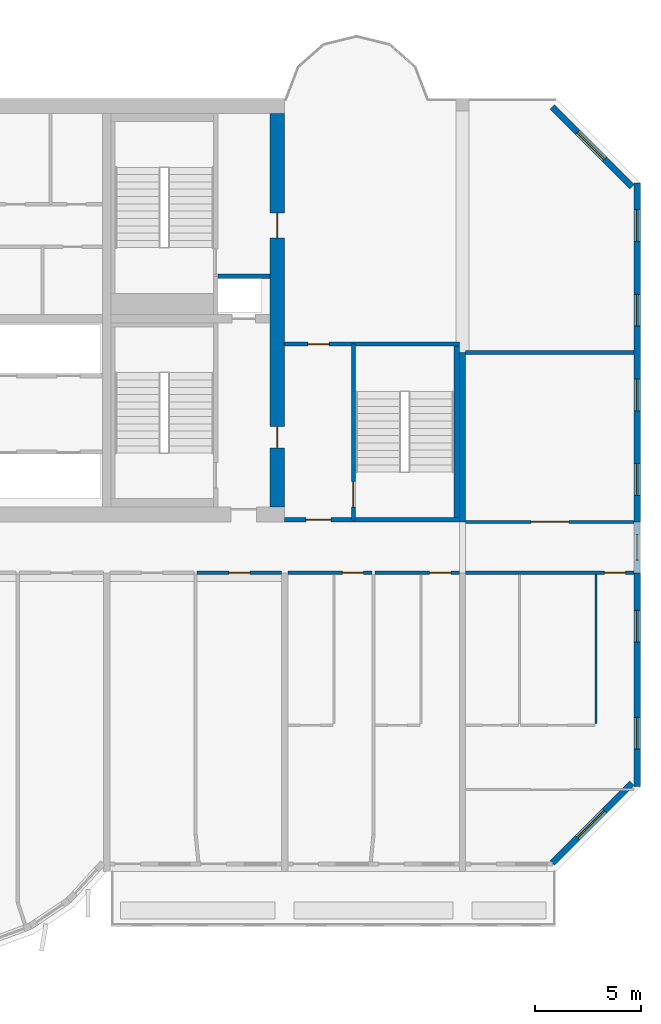
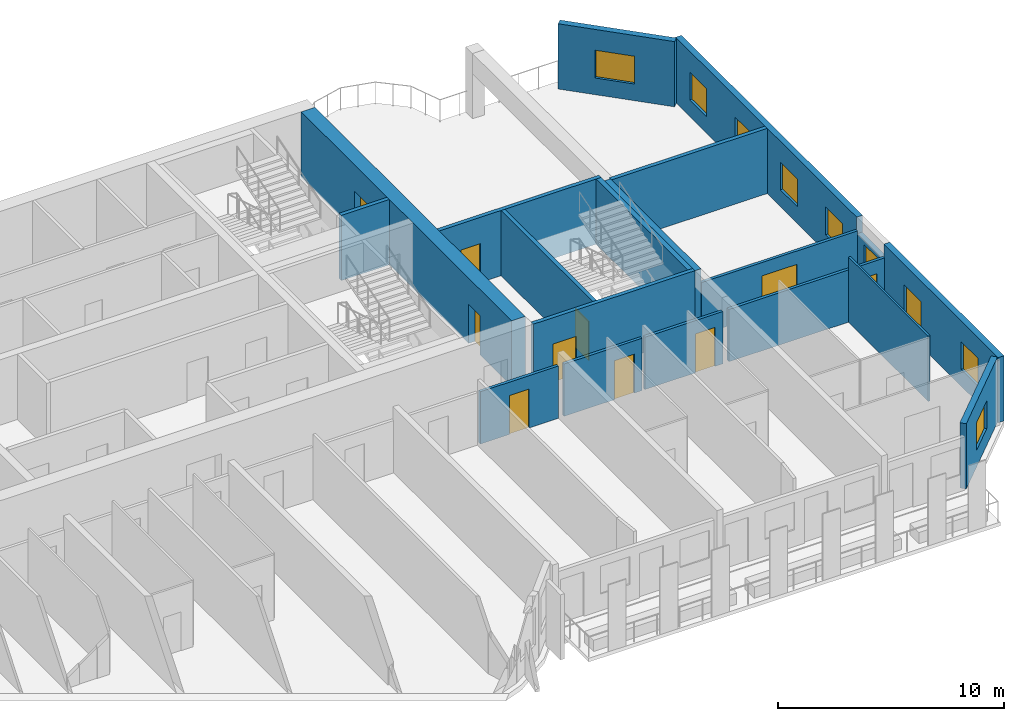
# One storey, part 9 of 13: 19 walls, 10 doors, 9 windows, 19 openings.
"""IFC4 building model written with IfcOpenShell, lengths in metres."""

import ifcopenshell
import ifcopenshell.guid

model = None  # the IFC model being written
_history = None  # IfcOwnerHistory: only IFC2X3 demands one
_inside = {}  # id of a spatial element -> (the spatial element, [elements in it])
_under = {}  # id of a project, library or spatial element -> (it, [spatial elements below it])
_declared = {}  # id of a project -> (the project, [libraries it declares])
_typed = {}  # id of a type object -> (the type object, [elements of that type])
_made_of = {}  # id of a material, layer set ... -> (it, [elements and type objects made of it])


def new_model(schema):
    """Start an empty IFC model of exactly this schema.

    Asked for "IFC4X3", IfcOpenShell would pick the latest addendum, in which some entities
    have other attributes; the version numbers below select the first issue.
    IFC2X3 requires an IfcOwnerHistory on every rooted entity: one is made here for all.
    """
    global model, _history
    if schema == "IFC4X3":
        model = ifcopenshell.file(schema_version=(4, 3, 0, 0))
    else:
        model = ifcopenshell.file(schema=schema)
    _inside.clear()
    _under.clear()
    _declared.clear()
    _typed.clear()
    _made_of.clear()
    _history = None
    if model.schema == "IFC2X3":
        org = make("IfcOrganization", Name="unknown")
        user = make(
            "IfcPersonAndOrganization",
            ThePerson=make("IfcPerson", FamilyName="unknown"),
            TheOrganization=org,
        )
        app = make(
            "IfcApplication",
            ApplicationDeveloper=org,
            Version="unknown",
            ApplicationFullName="unknown",
            ApplicationIdentifier="unknown",
        )
        _history = make(
            "IfcOwnerHistory",
            OwningUser=user,
            OwningApplication=app,
            ChangeAction="ADDED",
            CreationDate=0,
        )
    return model


def make(cls, **values):
    """One entity of the class cls with the attributes given. An attribute that is None is left unset."""
    return model.create_entity(
        cls, **{name: value for name, value in values.items() if value is not None}
    )


def rooted(cls, **values):
    """An entity with a GlobalId (a new one), such as an element, a storey or a relation."""
    return make(cls, GlobalId=ifcopenshell.guid.new(), OwnerHistory=_history, **values)


def si_unit(unit_type, name, prefix=None):
    """IfcSIUnit, for example si_unit("LENGTHUNIT", "METRE", prefix="MILLI")."""
    return make("IfcSIUnit", UnitType=unit_type, Prefix=prefix, Name=name)


def assignment(units):
    """IfcUnitAssignment: the units of a project."""
    return None if units is None else make("IfcUnitAssignment", Units=units)


def point(xyz):
    """IfcCartesianPoint."""
    return None if xyz is None else make("IfcCartesianPoint", Coordinates=xyz)


def direction(xyz):
    """IfcDirection."""
    return None if xyz is None else make("IfcDirection", DirectionRatios=xyz)


def frame(location, z_axis=None, x_axis=None):
    """IfcAxis2Placement3D, a coordinate frame: its origin and axes. An axis left out is left unset."""
    return make(
        "IfcAxis2Placement3D",
        Location=point(location),
        Axis=direction(z_axis),
        RefDirection=direction(x_axis),
    )


def frame_2d(location, x_axis=None):
    """IfcAxis2Placement2D, a coordinate frame in the plane: its origin and x axis."""
    return make(
        "IfcAxis2Placement2D", Location=point(location), RefDirection=direction(x_axis)
    )


def origin():
    """The frame at (0, 0, 0) with its axes left unset."""
    return frame((0.0, 0.0, 0.0))


def place(relative_to, where):
    """IfcLocalPlacement: puts the frame where relative to a parent placement (None: the world)."""
    return make(
        "IfcLocalPlacement", PlacementRelTo=relative_to, RelativePlacement=where
    )


def context(
    kind, dimensions, precision=None, world=None, true_north=None, identifier=None
):
    """IfcGeometricRepresentationContext, for example the 3D "Model" context."""
    return make(
        "IfcGeometricRepresentationContext",
        ContextIdentifier=identifier,
        ContextType=kind,
        CoordinateSpaceDimension=dimensions,
        Precision=precision,
        WorldCoordinateSystem=world,
        TrueNorth=true_north,
    )


def subcontext(parent, identifier, kind, view, scale=None):
    """IfcGeometricRepresentationSubContext, for example "Body" below "Model"."""
    return make(
        "IfcGeometricRepresentationSubContext",
        ContextIdentifier=identifier,
        ContextType=kind,
        ParentContext=parent,
        TargetScale=scale,
        TargetView=view,
    )


def project(units=None, contexts=None):
    """IfcProject with its units and contexts."""
    return rooted(
        "IfcProject",
        Name="project",
        RepresentationContexts=contexts,
        UnitsInContext=assignment(units),
    )


def spatial(cls, under=None, at=None, **own):
    """A site, building, storey or space (cls), placed at a placement, below another one or the project."""
    s = rooted(cls, ObjectPlacement=at, **own)
    if under is not None:
        _under.setdefault(under.id(), (under, []))[1].append(s)
    return s


def profile(cls, at=None, kind="AREA", **sizes):
    """A parametric profile (cls). Its sizes go by their IFC names, for example OverallWidth=200.0."""
    return make(cls, ProfileType=kind, Position=at, **sizes)


def rectangle(**sizes):
    """IfcRectangleProfileDef."""
    return profile("IfcRectangleProfileDef", **sizes)


def extrude(swept, where, along, depth):
    """IfcExtrudedAreaSolid: the profile swept, set in the frame where, extruded along a direction by depth."""
    return make(
        "IfcExtrudedAreaSolid",
        SweptArea=swept,
        Position=where,
        ExtrudedDirection=direction(along),
        Depth=depth,
    )


def shape(context_of_items, identifier, shape_type, items):
    """IfcShapeRepresentation: the items that make up one representation, for example the "Body"."""
    return make(
        "IfcShapeRepresentation",
        ContextOfItems=context_of_items,
        RepresentationIdentifier=identifier,
        RepresentationType=shape_type,
        Items=items,
    )


def source(mapping_origin, context_of_items, identifier, shape_type, items):
    """IfcRepresentationMap: a shape defined once, which mapped items show again and again."""
    return make(
        "IfcRepresentationMap",
        MappingOrigin=mapping_origin,
        MappedRepresentation=shape(context_of_items, identifier, shape_type, items),
    )


def transform(
    local_origin,
    x_axis=None,
    y_axis=None,
    z_axis=None,
    scale=None,
    scale2=None,
    scale3=None,
    uniform=True,
):
    """IfcCartesianTransformationOperator3D, or its non-uniform kind. x_axis, y_axis, z_axis: its Axis1, 2, 3."""
    if uniform:
        return make(
            "IfcCartesianTransformationOperator3D",
            Axis1=direction(x_axis),
            Axis2=direction(y_axis),
            LocalOrigin=point(local_origin),
            Scale=scale,
            Axis3=direction(z_axis),
        )
    return make(
        "IfcCartesianTransformationOperator3DnonUniform",
        Axis1=direction(x_axis),
        Axis2=direction(y_axis),
        LocalOrigin=point(local_origin),
        Scale=scale,
        Axis3=direction(z_axis),
        Scale2=scale2,
        Scale3=scale3,
    )


def mapped(mapping_source, mapping_target):
    """IfcMappedItem: shows the shape of a source again, moved by a transform."""
    return make(
        "IfcMappedItem", MappingSource=mapping_source, MappingTarget=mapping_target
    )


def material(Name=None, Category=None):
    """IfcMaterial."""
    return make("IfcMaterial", Name=Name, Category=Category)


def layer(
    of_material, thickness, ventilated=None, Name=None, Category=None, Priority=None
):
    """IfcMaterialLayer: one layer of a wall or slab, of a material (None: an air gap)."""
    return make(
        "IfcMaterialLayer",
        Material=of_material,
        LayerThickness=thickness,
        IsVentilated=ventilated,
        Name=Name,
        Category=Category,
        Priority=Priority,
    )


def layer_set(layers, Name=None):
    """IfcMaterialLayerSet."""
    return make("IfcMaterialLayerSet", MaterialLayers=layers, LayerSetName=Name)


def made_of(thing, what):
    """Note that an element or type object is made of a material, layer set ...; save() writes the relation."""
    if what is not None:
        _made_of.setdefault(what.id(), (what, []))[1].append(thing)
    return thing


def type_object(cls, material=None, **own):
    """A type object (cls), such as IfcWallType, which elements share."""
    return made_of(rooted(cls, **own), material)


def element(
    cls,
    number,
    at=None,
    inside=None,
    cuts=None,
    type_object=None,
    material=None,
    context=None,
    identifier="Body",
    shape_type=None,
    held_by="IfcProductDefinitionShape",
    body=None,
    shapes=None,
    **own,
):
    """One element of the class cls, such as IfcWall. Its Tag is "e" and its number.

    at: its placement. inside: the storey or other place that contains it. cuts: it is an
    opening in that element (IfcRelVoidsElement). A single representation is given by context,
    identifier, shape_type and body (its items); several are given by shapes. held_by: the class
    of the entity that holds the representations. save() writes the other relations.
    """
    e = rooted(cls, Tag="e%d" % number, ObjectPlacement=at, **own)
    if body is not None:
        shapes = [shape(context, identifier, shape_type, body)]
    if shapes is not None:
        e.Representation = make(held_by, Representations=shapes)
    if inside is not None:
        _inside.setdefault(inside.id(), (inside, []))[1].append(e)
    if cuts is not None:
        rooted(
            "IfcRelVoidsElement", RelatingBuildingElement=cuts, RelatedOpeningElement=e
        )
    if type_object is not None:
        _typed.setdefault(type_object.id(), (type_object, []))[1].append(e)
    return made_of(e, material)


def fill(opening, filler):
    """IfcRelFillsElement: the door or window that sits in an opening."""
    return rooted(
        "IfcRelFillsElement",
        RelatingOpeningElement=opening,
        RelatedBuildingElement=filler,
    )


def aggregate(whole, parts):
    """IfcRelAggregates: a whole, such as a stair, and the parts it consists of."""
    return rooted("IfcRelAggregates", RelatingObject=whole, RelatedObjects=parts)


def save(model, path):
    """Write the relations noted so far, then the file.

    IfcRelAggregates (storeys below a building ...), IfcRelContainedInSpatialStructure (elements
    in a storey), IfcRelDefinesByType, IfcRelAssociatesMaterial and IfcRelDeclares: one each for
    every whole, place, type object, material and project.
    """
    for whole, parts in _under.values():
        aggregate(whole, parts)
    for where, things in _inside.values():
        rooted(
            "IfcRelContainedInSpatialStructure",
            RelatedElements=things,
            RelatingStructure=where,
        )
    for kind, things in _typed.values():
        rooted("IfcRelDefinesByType", RelatedObjects=things, RelatingType=kind)
    for what, things in _made_of.values():
        rooted("IfcRelAssociatesMaterial", RelatedObjects=things, RelatingMaterial=what)
    for by, libraries in _declared.values():
        rooted("IfcRelDeclares", RelatingContext=by, RelatedDefinitions=libraries)
    model.write(path)


model = new_model("IFC4")

# Units and contexts
model_context = context("Model", 3, precision=1e-05, world=origin(), true_north=direction((0.0, 1.0)))
body_context = subcontext(model_context, "Body", "Model", "MODEL_VIEW")
ifc_project = project(units=[si_unit("LENGTHUNIT", "METRE"), si_unit("AREAUNIT", "SQUARE_METRE"), si_unit("VOLUMEUNIT", "CUBIC_METRE"), si_unit("PLANEANGLEUNIT", "RADIAN"), si_unit("MASSUNIT", "GRAM", prefix="KILO")], contexts=[model_context])

# Site, building, storey
site_placement = place(None, origin())
site = spatial("IfcSite", under=ifc_project, at=site_placement, CompositionType="ELEMENT")
building_placement = place(site_placement, origin())
building = spatial("IfcBuilding", under=site, at=building_placement, Name="Vanashikhar Sky Hotel", CompositionType="ELEMENT")
storey_placement = place(building_placement, frame((0.0, 0.0, 170.60009765625)))
storey = spatial("IfcBuildingStorey", under=building, at=storey_placement, Name="L41", CompositionType="ELEMENT", Elevation=170.60009765625)

# Wall, openings, doors
ifc_material_1 = material(Name="Concrete M60", Category="concrete")
ifc_layer_1 = layer(ifc_material_1, 0.699951171875)
ifc_layer_set_1 = layer_set([ifc_layer_1], Name="RC core shell wall 700 Concrete M60")
wall_type_1 = type_object("IfcWallType", Name="RC core shell wall 700 Concrete M60", PredefinedType="SHEAR", material=ifc_layer_set_1)
shared_shape_1 = source(origin(), body_context, "Body", "SweptSolid", [
    extrude(rectangle(XDim=18.60009765625, YDim=0.699951171875, at=frame_2d((9.300048828125, 0.0))), origin(), (0.0, 0.0, 1.0), 3.52001953125),
])
wall_1_placement = place(storey_placement, frame((75.25, 22.699951171875, 0.0), z_axis=(0.0, 0.0, 1.0), x_axis=(0.0, 1.0, 0.0)))
wall_1 = element("IfcWall", 1, at=wall_1_placement, inside=storey, type_object=wall_type_1, Name="KW-L41-KE", PredefinedType="SHEAR", context=body_context, shape_type="MappedRepresentation", body=[
    mapped(shared_shape_1, transform((0.0, 0.0, 0.0), scale=1.0)),
])
shared_shape_2 = source(origin(), body_context, "Body", "SweptSolid", [
    extrude(rectangle(XDim=1.0, YDim=2.10009765625, at=frame_2d((0.5, 1.050048828125))), frame((0.0, 0.35986328125, 0.0), z_axis=(0.0, -1.0, 0.0), x_axis=(1.0, 0.0, 0.0)), (0.0, 0.0, 1.0), 0.719970703125),
])
opening_1_placement = place(wall_1_placement, frame((2.800048828125, 0.0, 0.0)))
opening_1 = element("IfcOpeningElement", 2, at=opening_1_placement, cuts=wall_1, Name="Opening DC-5", PredefinedType="OPENING", context=body_context, shape_type="MappedRepresentation", body=[
    mapped(shared_shape_2, transform((0.0, 0.0, 0.0), scale=1.0)),
])
shared_shape_3 = source(origin(), body_context, "Body", "SweptSolid", [
    extrude(rectangle(XDim=1.199951171875, YDim=2.10009765625, at=frame_2d((0.60009765625, 1.050048828125))), frame((0.0, 0.35986328125, 0.0), z_axis=(0.0, -1.0, 0.0), x_axis=(1.0, 0.0, 0.0)), (0.0, 0.0, 1.0), 0.719970703125),
])
opening_2_placement = place(wall_1_placement, frame((12.699951171875, 0.0, 0.0)))
opening_2 = element("IfcOpeningElement", 3, at=opening_2_placement, cuts=wall_1, Name="Opening DC-4-D", PredefinedType="OPENING", context=body_context, shape_type="MappedRepresentation", body=[
    mapped(shared_shape_3, transform((0.0, 0.0, 0.0), scale=1.0)),
])
ifc_material_2 = material(Name="Steel", Category="steel")
door_type_1 = type_object("IfcDoorType", Name="Refuge door 1000 FD120", OperationType="NOTDEFINED", PredefinedType="DOOR", material=ifc_material_2)
shared_shape_4 = source(origin(), body_context, "Body", "SweptSolid", [
    extrude(rectangle(XDim=1.0, YDim=2.10009765625, at=frame_2d((0.5, 1.050048828125))), frame((0.0, 0.02490234375, 0.0), z_axis=(0.0, -1.0, 0.0), x_axis=(1.0, 0.0, 0.0)), (0.0, 0.0, 1.0), 0.050048828125),
])
door_1_placement = place(opening_1_placement, origin())
door_1 = element("IfcDoor", 4, at=door_1_placement, inside=storey, type_object=door_type_1, Name="Refuge door 1000 FD120", OperationType="SINGLE_SWING_RIGHT", OverallHeight=2.10009765625, OverallWidth=1.0, PredefinedType="DOOR", context=body_context, shape_type="MappedRepresentation", body=[
    mapped(shared_shape_4, transform((0.0, 0.0, 0.0), scale=1.0)),
])
fill(opening_1, door_1)
door_type_2 = type_object("IfcDoorType", Name="Service door 1200 FD120", OperationType="NOTDEFINED", PredefinedType="DOOR", material=ifc_material_2)
shared_shape_5 = source(origin(), body_context, "Body", "SweptSolid", [
    extrude(rectangle(XDim=1.199951171875, YDim=2.10009765625, at=frame_2d((0.60009765625, 1.050048828125))), frame((0.0, 0.02490234375, 0.0), z_axis=(0.0, -1.0, 0.0), x_axis=(1.0, 0.0, 0.0)), (0.0, 0.0, 1.0), 0.050048828125),
])
door_2_placement = place(opening_2_placement, origin())
door_2 = element("IfcDoor", 5, at=door_2_placement, inside=storey, type_object=door_type_2, Name="Service door 1200 FD120", OperationType="SINGLE_SWING_RIGHT", OverallHeight=2.10009765625, OverallWidth=1.199951171875, PredefinedType="DOOR", context=body_context, shape_type="MappedRepresentation", body=[
    mapped(shared_shape_5, transform((0.0, 0.0, 0.0), scale=1.0)),
])
fill(opening_2, door_2)

# Wall, openings, windows
ifc_layer_2 = layer(ifc_material_1, 0.300048828125)
ifc_layer_set_2 = layer_set([ifc_layer_2], Name="RC shear wall 300 Concrete M60")
wall_type_2 = type_object("IfcWallType", Name="RC shear wall 300 Concrete M60", PredefinedType="SHEAR", material=ifc_layer_set_2)
shared_shape_6 = source(origin(), body_context, "Body", "SweptSolid", [
    extrude(rectangle(XDim=10.10009765625, YDim=0.300048828125, at=frame_2d((5.050048828125, 0.0))), origin(), (0.0, 0.0, 1.0), 3.52001953125),
])
wall_2_placement = place(storey_placement, frame((92.25, 9.5, 0.0), z_axis=(0.0, 0.0, 1.0), x_axis=(0.0, 1.0, 0.0)))
wall_2 = element("IfcWall", 6, at=wall_2_placement, inside=storey, type_object=wall_type_2, Name="CW-L41-XW12-1", PredefinedType="SHEAR", context=body_context, shape_type="MappedRepresentation", body=[
    mapped(shared_shape_6, transform((0.0, 0.0, 0.0), scale=1.0)),
])
shared_shape_7 = source(origin(), body_context, "Body", "SweptSolid", [
    extrude(rectangle(XDim=1.5, YDim=1.5, at=frame_2d((0.75, 0.75))), frame((0.0, 0.16015625, 0.0), z_axis=(0.0, -1.0, 0.0), x_axis=(1.0, 0.0, 0.0)), (0.0, 0.0, 1.0), 0.320068359375),
])
opening_3_placement = place(wall_2_placement, frame((1.77490234375, 0.0, 0.89990234375)))
opening_3 = element("IfcOpeningElement", 7, at=opening_3_placement, cuts=wall_2, Name="Opening WN-1", PredefinedType="OPENING", context=body_context, shape_type="MappedRepresentation", body=[
    mapped(shared_shape_7, transform((0.0, 0.0, 0.0), scale=1.0)),
])
opening_4_placement = place(wall_2_placement, frame((6.824951171875, 0.0, 0.89990234375)))
opening_4 = element("IfcOpeningElement", 8, at=opening_4_placement, cuts=wall_2, Name="Opening WN-1", PredefinedType="OPENING", context=body_context, shape_type="MappedRepresentation", body=[
    mapped(shared_shape_7, transform((0.0, 0.0, 0.0), scale=1.0)),
])
ifc_material_3 = material(Name="Glass", Category="glass")
window_type_1 = type_object("IfcWindowType", Name="Window 1500 x 1500", PartitioningType="SINGLE_PANEL", PredefinedType="WINDOW", material=ifc_material_3)
shared_shape_8 = source(origin(), body_context, "Body", "SweptSolid", [
    extrude(rectangle(XDim=1.5, YDim=1.5, at=frame_2d((0.75, 0.75))), frame((0.0, 0.030029296875, 0.0), z_axis=(0.0, -1.0, 0.0), x_axis=(1.0, 0.0, 0.0)), (0.0, 0.0, 1.0), 0.06005859375),
])
window_1_placement = place(opening_3_placement, origin())
window_1 = element("IfcWindow", 9, at=window_1_placement, inside=storey, type_object=window_type_1, Name="Window WN-1", OverallHeight=1.5, OverallWidth=1.5, PartitioningType="SINGLE_PANEL", PredefinedType="WINDOW", context=body_context, shape_type="MappedRepresentation", body=[
    mapped(shared_shape_8, transform((0.0, 0.0, 0.0), scale=1.0)),
])
fill(opening_3, window_1)
window_2_placement = place(opening_4_placement, origin())
window_2 = element("IfcWindow", 10, at=window_2_placement, inside=storey, type_object=window_type_1, Name="Window WN-1", OverallHeight=1.5, OverallWidth=1.5, PartitioningType="SINGLE_PANEL", PredefinedType="WINDOW", context=body_context, shape_type="MappedRepresentation", body=[
    mapped(shared_shape_8, transform((0.0, 0.0, 0.0), scale=1.0)),
])
fill(opening_4, window_2)

shared_shape_9 = source(origin(), body_context, "Body", "SweptSolid", [
    extrude(rectangle(XDim=16.0, YDim=0.300048828125, at=frame_2d((8.0, 0.0))), origin(), (0.0, 0.0, 1.0), 3.52001953125),
])
wall_3_placement = place(storey_placement, frame((92.25, 22.0, 0.0), z_axis=(0.0, 0.0, 1.0), x_axis=(0.0, 1.0, 0.0)))
wall_3 = element("IfcWall", 11, at=wall_3_placement, inside=storey, type_object=wall_type_2, Name="CW-L41-XW12-2", PredefinedType="SHEAR", context=body_context, shape_type="MappedRepresentation", body=[
    mapped(shared_shape_9, transform((0.0, 0.0, 0.0), scale=1.0)),
])
opening_5_placement = place(wall_3_placement, frame((1.25, 0.0, 0.89990234375)))
opening_5 = element("IfcOpeningElement", 12, at=opening_5_placement, cuts=wall_3, Name="Opening WN-1", PredefinedType="OPENING", context=body_context, shape_type="MappedRepresentation", body=[
    mapped(shared_shape_7, transform((0.0, 0.0, 0.0), scale=1.0)),
])
opening_6_placement = place(wall_3_placement, frame((5.25, 0.0, 0.89990234375)))
opening_6 = element("IfcOpeningElement", 13, at=opening_6_placement, cuts=wall_3, Name="Opening WN-1", PredefinedType="OPENING", context=body_context, shape_type="MappedRepresentation", body=[
    mapped(shared_shape_7, transform((0.0, 0.0, 0.0), scale=1.0)),
])
opening_7_placement = place(wall_3_placement, frame((9.25, 0.0, 0.89990234375)))
opening_7 = element("IfcOpeningElement", 14, at=opening_7_placement, cuts=wall_3, Name="Opening WN-1", PredefinedType="OPENING", context=body_context, shape_type="MappedRepresentation", body=[
    mapped(shared_shape_7, transform((0.0, 0.0, 0.0), scale=1.0)),
])
opening_8_placement = place(wall_3_placement, frame((13.25, 0.0, 0.89990234375)))
opening_8 = element("IfcOpeningElement", 15, at=opening_8_placement, cuts=wall_3, Name="Opening WN-1", PredefinedType="OPENING", context=body_context, shape_type="MappedRepresentation", body=[
    mapped(shared_shape_7, transform((0.0, 0.0, 0.0), scale=1.0)),
])
window_3_placement = place(opening_5_placement, origin())
window_3 = element("IfcWindow", 16, at=window_3_placement, inside=storey, type_object=window_type_1, Name="Window WN-1", OverallHeight=1.5, OverallWidth=1.5, PartitioningType="SINGLE_PANEL", PredefinedType="WINDOW", context=body_context, shape_type="MappedRepresentation", body=[
    mapped(shared_shape_8, transform((0.0, 0.0, 0.0), scale=1.0)),
])
fill(opening_5, window_3)
window_4_placement = place(opening_6_placement, origin())
window_4 = element("IfcWindow", 17, at=window_4_placement, inside=storey, type_object=window_type_1, Name="Window WN-1", OverallHeight=1.5, OverallWidth=1.5, PartitioningType="SINGLE_PANEL", PredefinedType="WINDOW", context=body_context, shape_type="MappedRepresentation", body=[
    mapped(shared_shape_8, transform((0.0, 0.0, 0.0), scale=1.0)),
])
fill(opening_6, window_4)
window_5_placement = place(opening_7_placement, origin())
window_5 = element("IfcWindow", 18, at=window_5_placement, inside=storey, type_object=window_type_1, Name="Window WN-1", OverallHeight=1.5, OverallWidth=1.5, PartitioningType="SINGLE_PANEL", PredefinedType="WINDOW", context=body_context, shape_type="MappedRepresentation", body=[
    mapped(shared_shape_8, transform((0.0, 0.0, 0.0), scale=1.0)),
])
fill(opening_7, window_5)
window_6_placement = place(opening_8_placement, origin())
window_6 = element("IfcWindow", 19, at=window_6_placement, inside=storey, type_object=window_type_1, Name="Window WN-1", OverallHeight=1.5, OverallWidth=1.5, PartitioningType="SINGLE_PANEL", PredefinedType="WINDOW", context=body_context, shape_type="MappedRepresentation", body=[
    mapped(shared_shape_8, transform((0.0, 0.0, 0.0), scale=1.0)),
])
fill(opening_8, window_6)

# Wall
shared_shape_10 = source(origin(), body_context, "Body", "SweptSolid", [
    extrude(rectangle(XDim=8.0, YDim=0.300048828125, at=frame_2d((4.0, 0.0))), origin(), (0.0, 0.0, 1.0), 3.52001953125),
])
wall_4_placement = place(storey_placement, frame((84.0, 22.0, 0.0), z_axis=(0.0, 0.0, 1.0), x_axis=(0.0, 1.0, 0.0)))
element("IfcWall", 20, at=wall_4_placement, inside=storey, type_object=wall_type_2, Name="CW-L41-XW11-2", PredefinedType="SHEAR", context=body_context, shape_type="MappedRepresentation", body=[
    mapped(shared_shape_10, transform((0.0, 0.0, 0.0), scale=1.0)),
])

# Wall, opening, window
ifc_material_4 = material(Name="Concrete M50", Category="concrete")
ifc_layer_3 = layer(ifc_material_4, 0.300048828125)
ifc_layer_set_3 = layer_set([ifc_layer_3], Name="Lobe wall 300")
wall_type_3 = type_object("IfcWallType", Name="Lobe wall 300", PredefinedType="SOLIDWALL", material=ifc_layer_set_3)
shared_shape_11 = source(origin(), body_context, "Body", "SweptSolid", [
    extrude(rectangle(XDim=5.32568359375, YDim=0.300048828125, at=frame_2d((2.662841796875, 0.0))), origin(), (0.0, 0.0, 1.0), 3.52001953125),
])
wall_5_placement = place(storey_placement, frame((88.234375, 5.89990234375, 0.0), z_axis=(0.0, 0.0, 1.0), x_axis=(0.707083859269, 0.707129702361, 0.0)))
wall_5 = element("IfcWall", 21, at=wall_5_placement, inside=storey, type_object=wall_type_3, Name="Corner wall", PredefinedType="SOLIDWALL", context=body_context, shape_type="MappedRepresentation", body=[
    mapped(shared_shape_11, transform((0.0, 0.0, 0.0), scale=1.0)),
])
shared_shape_12 = source(origin(), body_context, "Body", "SweptSolid", [
    extrude(rectangle(XDim=1.800048828125, YDim=1.5, at=frame_2d((0.89990234375, 0.75))), frame((0.0, 0.16015625, 0.0), z_axis=(0.0, -1.0, 0.0), x_axis=(1.0, 0.0, 0.0)), (0.0, 0.0, 1.0), 0.320068359375),
])
opening_9_placement = place(wall_5_placement, frame((1.689453125, 0.0, 0.89990234375)))
opening_9 = element("IfcOpeningElement", 22, at=opening_9_placement, cuts=wall_5, Name="Opening WN-4", PredefinedType="OPENING", context=body_context, shape_type="MappedRepresentation", body=[
    mapped(shared_shape_12, transform((0.0, 0.0, 0.0), scale=1.0)),
])
window_type_2 = type_object("IfcWindowType", Name="Corner window 1800 x 1500", PartitioningType="SINGLE_PANEL", PredefinedType="WINDOW", material=ifc_material_3)
shared_shape_13 = source(origin(), body_context, "Body", "SweptSolid", [
    extrude(rectangle(XDim=1.800048828125, YDim=1.5, at=frame_2d((0.89990234375, 0.75))), frame((0.0, 0.030029296875, 0.0), z_axis=(0.0, -1.0, 0.0), x_axis=(1.0, 0.0, 0.0)), (0.0, 0.0, 1.0), 0.06005859375),
])
window_7_placement = place(opening_9_placement, origin())
window_7 = element("IfcWindow", 23, at=window_7_placement, inside=storey, type_object=window_type_2, Name="Window WN-4", OverallHeight=1.5, OverallWidth=1.800048828125, PartitioningType="SINGLE_PANEL", PredefinedType="WINDOW", context=body_context, shape_type="MappedRepresentation", body=[
    mapped(shared_shape_13, transform((0.0, 0.0, 0.0), scale=1.0)),
])
fill(opening_9, window_7)

wall_6_placement = place(storey_placement, frame((92.0, 37.834228515625, 0.0), z_axis=(0.0, 0.0, 1.0), x_axis=(-0.707083859269, 0.707129702361, 0.0)))
wall_6 = element("IfcWall", 24, at=wall_6_placement, inside=storey, type_object=wall_type_3, Name="Corner wall", PredefinedType="SOLIDWALL", context=body_context, shape_type="MappedRepresentation", body=[
    mapped(shared_shape_11, transform((0.0, 0.0, 0.0), scale=1.0)),
])
opening_10_placement = place(wall_6_placement, frame((1.8359375, 0.0, 0.89990234375)))
opening_10 = element("IfcOpeningElement", 25, at=opening_10_placement, cuts=wall_6, Name="Opening WN-4", PredefinedType="OPENING", context=body_context, shape_type="MappedRepresentation", body=[
    mapped(shared_shape_12, transform((0.0, 0.0, 0.0), scale=1.0)),
])
window_8_placement = place(opening_10_placement, origin())
window_8 = element("IfcWindow", 26, at=window_8_placement, inside=storey, type_object=window_type_2, Name="Window WN-4", OverallHeight=1.5, OverallWidth=1.800048828125, PartitioningType="SINGLE_PANEL", PredefinedType="WINDOW", context=body_context, shape_type="MappedRepresentation", body=[
    mapped(shared_shape_13, transform((0.0, 0.0, 0.0), scale=1.0)),
])
fill(opening_10, window_8)

ifc_layer_4 = layer(ifc_material_4, 0.25)
ifc_layer_set_4 = layer_set([ifc_layer_4], Name="Rear and end board-marked wall 250")
wall_type_4 = type_object("IfcWallType", Name="Rear and end board-marked wall 250", PredefinedType="SOLIDWALL", material=ifc_layer_set_4)
shared_shape_14 = source(origin(), body_context, "Body", "SweptSolid", [
    extrude(rectangle(XDim=2.39990234375, YDim=0.25, at=frame_2d((1.199951171875, 0.0))), origin(), (0.0, 0.0, 1.0), 2.619873046875),
])
wall_7_placement = place(storey_placement, frame((92.25, 19.60009765625, 0.0), z_axis=(0.0, 0.0, 1.0), x_axis=(0.0, 1.0, 0.0)))
wall_7 = element("IfcWall", 27, at=wall_7_placement, inside=storey, type_object=wall_type_4, Name="End corridor infill wall", PredefinedType="SOLIDWALL", context=body_context, shape_type="MappedRepresentation", body=[
    mapped(shared_shape_14, transform((0.0, 0.0, 0.0), scale=1.0)),
])
shared_shape_15 = source(origin(), body_context, "Body", "SweptSolid", [
    extrude(rectangle(XDim=1.199951171875, YDim=1.5, at=frame_2d((0.60009765625, 0.75))), frame((0.0, 0.135009765625, 0.0), z_axis=(0.0, -1.0, 0.0), x_axis=(1.0, 0.0, 0.0)), (0.0, 0.0, 1.0), 0.27001953125),
])
opening_11_placement = place(wall_7_placement, frame((0.60009765625, 0.0, 0.89990234375)))
opening_11 = element("IfcOpeningElement", 28, at=opening_11_placement, cuts=wall_7, Name="Opening WN-3", PredefinedType="OPENING", context=body_context, shape_type="MappedRepresentation", body=[
    mapped(shared_shape_15, transform((0.0, 0.0, 0.0), scale=1.0)),
])
window_type_3 = type_object("IfcWindowType", Name="Corridor end window 1200 x 1500", PartitioningType="SINGLE_PANEL", PredefinedType="WINDOW", material=ifc_material_3)
shared_shape_16 = source(origin(), body_context, "Body", "SweptSolid", [
    extrude(rectangle(XDim=1.199951171875, YDim=1.5, at=frame_2d((0.60009765625, 0.75))), frame((0.0, 0.030029296875, 0.0), z_axis=(0.0, -1.0, 0.0), x_axis=(1.0, 0.0, 0.0)), (0.0, 0.0, 1.0), 0.06005859375),
])
window_9_placement = place(opening_11_placement, origin())
window_9 = element("IfcWindow", 29, at=window_9_placement, inside=storey, type_object=window_type_3, Name="Window WN-3", OverallHeight=1.5, OverallWidth=1.199951171875, PartitioningType="SINGLE_PANEL", PredefinedType="WINDOW", context=body_context, shape_type="MappedRepresentation", body=[
    mapped(shared_shape_16, transform((0.0, 0.0, 0.0), scale=1.0)),
])
fill(opening_11, window_9)

# Wall, opening, door
ifc_layer_5 = layer(ifc_material_4, 0.199951171875)
ifc_layer_set_5 = layer_set([ifc_layer_5], Name="Stair wall 200")
wall_type_5 = type_object("IfcWallType", Name="Stair wall 200", PredefinedType="SOLIDWALL", material=ifc_layer_set_5)
shared_shape_17 = source(origin(), body_context, "Body", "SweptSolid", [
    extrude(rectangle(XDim=8.2998046875, YDim=0.199951171875, at=frame_2d((4.14990234375, 0.0))), origin(), (0.0, 0.0, 1.0), 3.52001953125),
])
wall_8_placement = place(storey_placement, frame((78.85009765625, 22.10009765625, 0.0), z_axis=(0.0, 0.0, 1.0), x_axis=(0.0, 1.0, 0.0)))
wall_8 = element("IfcWall", 30, at=wall_8_placement, inside=storey, type_object=wall_type_5, Name="Stair wall 200", PredefinedType="SOLIDWALL", context=body_context, shape_type="MappedRepresentation", body=[
    mapped(shared_shape_17, transform((0.0, 0.0, 0.0), scale=1.0)),
])
shared_shape_18 = source(origin(), body_context, "Body", "SweptSolid", [
    extrude(rectangle(XDim=1.199951171875, YDim=2.10009765625, at=frame_2d((0.60009765625, 1.050048828125))), frame((0.0, 0.10986328125, 0.0), z_axis=(0.0, -1.0, 0.0), x_axis=(1.0, 0.0, 0.0)), (0.0, 0.0, 1.0), 0.219970703125),
])
opening_12_placement = place(wall_8_placement, frame((0.60009765625, 0.0, 0.0)))
opening_12 = element("IfcOpeningElement", 31, at=opening_12_placement, cuts=wall_8, Name="Opening DC-1", PredefinedType="OPENING", context=body_context, shape_type="MappedRepresentation", body=[
    mapped(shared_shape_18, transform((0.0, 0.0, 0.0), scale=1.0)),
])
door_type_3 = type_object("IfcDoorType", Name="Stair door 1200 FD120", OperationType="NOTDEFINED", PredefinedType="DOOR", material=ifc_material_2)
door_3_placement = place(opening_12_placement, origin())
door_3 = element("IfcDoor", 32, at=door_3_placement, inside=storey, type_object=door_type_3, Name="Stair door 1200 FD120", OperationType="SINGLE_SWING_LEFT", OverallHeight=2.10009765625, OverallWidth=1.199951171875, PredefinedType="DOOR", context=body_context, shape_type="MappedRepresentation", body=[
    mapped(shared_shape_5, transform((0.0, 0.0, 0.0), scale=1.0)),
])
fill(opening_12, door_3)

# Wall
ifc_material_5 = material(Name="Concrete M40", Category="concrete")
ifc_layer_6 = layer(ifc_material_5, 0.199951171875)
ifc_layer_set_6 = layer_set([ifc_layer_6], Name="Shaft wall 200")
wall_type_6 = type_object("IfcWallType", Name="Shaft wall 200", PredefinedType="SOLIDWALL", material=ifc_layer_set_6)
shared_shape_19 = source(origin(), body_context, "Body", "SweptSolid", [
    extrude(rectangle(XDim=2.449951171875, YDim=0.199951171875, at=frame_2d((1.22509765625, 0.0))), origin(), (0.0, 0.0, 1.0), 3.52001953125),
])
wall_9_placement = place(storey_placement, frame((72.449951171875, 33.60009765625, 0.0), z_axis=(0.0, 0.0, 1.0), x_axis=(1.0, 0.0, 0.0)))
element("IfcWall", 33, at=wall_9_placement, inside=storey, type_object=wall_type_6, Name="Shaft wall 200", PredefinedType="SOLIDWALL", context=body_context, shape_type="MappedRepresentation", body=[
    mapped(shared_shape_19, transform((0.0, 0.0, 0.0), scale=1.0)),
])

# Wall, opening, door
shared_shape_20 = source(origin(), body_context, "Body", "SweptSolid", [
    extrude(rectangle(XDim=8.25, YDim=0.199951171875, at=frame_2d((4.125, 0.0))), origin(), (0.0, 0.0, 1.0), 3.52001953125),
])
wall_10_placement = place(storey_placement, frame((83.85009765625, 22.10009765625, 0.0), z_axis=(0.0, 0.0, 1.0), x_axis=(-1.0, 0.0, 0.0)))
wall_10 = element("IfcWall", 34, at=wall_10_placement, inside=storey, type_object=wall_type_5, Name="Stair wall 200", PredefinedType="SOLIDWALL", context=body_context, shape_type="MappedRepresentation", body=[
    mapped(shared_shape_20, transform((0.0, 0.0, 0.0), scale=1.0)),
])
opening_13_placement = place(wall_10_placement, frame((6.050048828125, 0.0, 0.0)))
opening_13 = element("IfcOpeningElement", 35, at=opening_13_placement, cuts=wall_10, Name="Opening DC-2", PredefinedType="OPENING", context=body_context, shape_type="MappedRepresentation", body=[
    mapped(shared_shape_18, transform((0.0, 0.0, 0.0), scale=1.0)),
])
door_type_4 = type_object("IfcDoorType", Name="Firefighting lobby door 1200 FD120", OperationType="NOTDEFINED", PredefinedType="DOOR", material=ifc_material_2)
door_4_placement = place(opening_13_placement, origin())
door_4 = element("IfcDoor", 36, at=door_4_placement, inside=storey, type_object=door_type_4, Name="Firefighting lobby door 1200 FD120", OperationType="SINGLE_SWING_RIGHT", OverallHeight=2.10009765625, OverallWidth=1.199951171875, PredefinedType="DOOR", context=body_context, shape_type="MappedRepresentation", body=[
    mapped(shared_shape_5, transform((0.0, 0.0, 0.0), scale=1.0)),
])
fill(opening_13, door_4)

wall_11_placement = place(storey_placement, frame((83.85009765625, 30.39990234375, 0.0), z_axis=(0.0, 0.0, 1.0), x_axis=(-1.0, 0.0, 0.0)))
wall_11 = element("IfcWall", 37, at=wall_11_placement, inside=storey, type_object=wall_type_5, Name="Stair wall 200", PredefinedType="SOLIDWALL", context=body_context, shape_type="MappedRepresentation", body=[
    mapped(shared_shape_20, transform((0.0, 0.0, 0.0), scale=1.0)),
])
shared_shape_21 = source(origin(), body_context, "Body", "SweptSolid", [
    extrude(rectangle(XDim=1.0, YDim=2.10009765625, at=frame_2d((0.5, 1.050048828125))), frame((0.0, 0.10986328125, 0.0), z_axis=(0.0, -1.0, 0.0), x_axis=(1.0, 0.0, 0.0)), (0.0, 0.0, 1.0), 0.219970703125),
])
opening_14_placement = place(wall_11_placement, frame((6.14990234375, 0.0, 0.0)))
opening_14 = element("IfcOpeningElement", 38, at=opening_14_placement, cuts=wall_11, Name="Opening DC-6", PredefinedType="OPENING", context=body_context, shape_type="MappedRepresentation", body=[
    mapped(shared_shape_21, transform((0.0, 0.0, 0.0), scale=1.0)),
])
door_type_5 = type_object("IfcDoorType", Name="Pocket door 1000 FD60", OperationType="NOTDEFINED", PredefinedType="DOOR", material=ifc_material_2)
door_5_placement = place(opening_14_placement, origin())
door_5 = element("IfcDoor", 39, at=door_5_placement, inside=storey, type_object=door_type_5, Name="Pocket door 1000 FD60", OperationType="SINGLE_SWING_RIGHT", OverallHeight=2.10009765625, OverallWidth=1.0, PredefinedType="DOOR", context=body_context, shape_type="MappedRepresentation", body=[
    mapped(shared_shape_4, transform((0.0, 0.0, 0.0), scale=1.0)),
])
fill(opening_14, door_5)

# Walls
ifc_layer_7 = layer(ifc_material_4, 0.25)
ifc_layer_set_7 = layer_set([ifc_layer_7], Name="Stair infill wall 250")
wall_type_7 = type_object("IfcWallType", Name="Stair infill wall 250", PredefinedType="SOLIDWALL", material=ifc_layer_set_7)
shared_shape_22 = source(origin(), body_context, "Body", "SweptSolid", [
    extrude(rectangle(XDim=8.10009765625, YDim=0.25, at=frame_2d((4.050048828125, 0.0))), origin(), (0.0, 0.0, 1.0), 3.52001953125),
])
wall_12_placement = place(storey_placement, frame((83.72509765625, 22.199951171875, 0.0), z_axis=(0.0, 0.0, 1.0), x_axis=(0.0, 1.0, 0.0)))
element("IfcWall", 40, at=wall_12_placement, inside=storey, type_object=wall_type_7, Name="Stair infill wall 250", PredefinedType="SOLIDWALL", context=body_context, shape_type="MappedRepresentation", body=[
    mapped(shared_shape_22, transform((0.0, 0.0, 0.0), scale=1.0)),
])
ifc_material_6 = material(Name="Gypsum plasterboard partition")
ifc_layer_8 = layer(ifc_material_6, 0.10009765625)
ifc_layer_set_8 = layer_set([ifc_layer_8], Name="Wet room partition 100")
wall_type_8 = type_object("IfcWallType", Name="Wet room partition 100", PredefinedType="PARTITIONING", material=ifc_layer_set_8)
shared_shape_23 = source(origin(), body_context, "Body", "SweptSolid", [
    extrude(rectangle(XDim=7.0498046875, YDim=0.10009765625, at=frame_2d((3.52490234375, 0.0))), origin(), (0.0, 0.0, 1.0), 3.52001953125),
])
wall_13_placement = place(storey_placement, frame((90.300048828125, 12.47509765625, 0.0), z_axis=(0.0, 0.0, 1.0), x_axis=(0.0, 1.0, 0.0)))
element("IfcWall", 41, at=wall_13_placement, inside=storey, type_object=wall_type_8, Name="W-L41-PW051", PredefinedType="PARTITIONING", context=body_context, shape_type="MappedRepresentation", body=[
    mapped(shared_shape_23, transform((0.0, 0.0, 0.0), scale=1.0)),
])

# Wall, opening, door
ifc_layer_9 = layer(ifc_material_6, 0.14990234375)
ifc_layer_set_9 = layer_set([ifc_layer_9], Name="Corridor and demising partition 150")
wall_type_9 = type_object("IfcWallType", Name="Corridor and demising partition 150", PredefinedType="PARTITIONING", material=ifc_layer_set_9)
shared_shape_24 = source(origin(), body_context, "Body", "SweptSolid", [
    extrude(rectangle(XDim=3.974853515625, YDim=0.14990234375, at=frame_2d((1.9873046875, 0.0))), origin(), (0.0, 0.0, 1.0), 2.81982421875),
])
wall_14_placement = place(storey_placement, frame((71.47509765625, 19.60009765625, 0.0), z_axis=(0.0, 0.0, 1.0), x_axis=(1.0, 0.0, 0.0)))
wall_14 = element("IfcWall", 42, at=wall_14_placement, inside=storey, type_object=wall_type_9, Name="W-L41-PW042", PredefinedType="PARTITIONING", context=body_context, shape_type="MappedRepresentation", body=[
    mapped(shared_shape_24, transform((0.0, 0.0, 0.0), scale=1.0)),
])
shared_shape_25 = source(origin(), body_context, "Body", "SweptSolid", [
    extrude(rectangle(XDim=1.0, YDim=2.10009765625, at=frame_2d((0.5, 1.050048828125))), frame((0.0, 0.0849609375, 0.0), z_axis=(0.0, -1.0, 0.0), x_axis=(1.0, 0.0, 0.0)), (0.0, 0.0, 1.0), 0.169921875),
])
opening_15_placement = place(wall_14_placement, frame((1.488037109375, 0.0, 0.0)))
opening_15 = element("IfcOpeningElement", 43, at=opening_15_placement, cuts=wall_14, Name="Opening D-01", PredefinedType="OPENING", context=body_context, shape_type="MappedRepresentation", body=[
    mapped(shared_shape_25, transform((0.0, 0.0, 0.0), scale=1.0)),
])
ifc_material_7 = material(Name="Timber fire door", Category="wood")
door_type_6 = type_object("IfcDoorType", Name="Guest entry door 1000 FD30S", OperationType="NOTDEFINED", PredefinedType="DOOR", material=ifc_material_7)
door_6_placement = place(opening_15_placement, origin())
door_6 = element("IfcDoor", 44, at=door_6_placement, inside=storey, type_object=door_type_6, Name="D-L41-026", OperationType="SINGLE_SWING_RIGHT", OverallHeight=2.10009765625, OverallWidth=1.0, PredefinedType="DOOR", context=body_context, shape_type="MappedRepresentation", body=[
    mapped(shared_shape_4, transform((0.0, 0.0, 0.0), scale=1.0)),
])
fill(opening_15, door_6)

shared_shape_26 = source(origin(), body_context, "Body", "SweptSolid", [
    extrude(rectangle(XDim=3.97509765625, YDim=0.14990234375, at=frame_2d((1.987548828125, 0.0))), origin(), (0.0, 0.0, 1.0), 2.81982421875),
])
wall_15_placement = place(storey_placement, frame((75.75, 19.60009765625, 0.0), z_axis=(0.0, 0.0, 1.0), x_axis=(1.0, 0.0, 0.0)))
wall_15 = element("IfcWall", 45, at=wall_15_placement, inside=storey, type_object=wall_type_9, Name="W-L41-PW046", PredefinedType="PARTITIONING", context=body_context, shape_type="MappedRepresentation", body=[
    mapped(shared_shape_26, transform((0.0, 0.0, 0.0), scale=1.0)),
])
opening_16_placement = place(wall_15_placement, frame((2.574951171875, 0.0, 0.0)))
opening_16 = element("IfcOpeningElement", 46, at=opening_16_placement, cuts=wall_15, Name="Opening D-01", PredefinedType="OPENING", context=body_context, shape_type="MappedRepresentation", body=[
    mapped(shared_shape_25, transform((0.0, 0.0, 0.0), scale=1.0)),
])
door_7_placement = place(opening_16_placement, origin())
door_7 = element("IfcDoor", 47, at=door_7_placement, inside=storey, type_object=door_type_6, Name="D-L41-028", OperationType="SINGLE_SWING_RIGHT", OverallHeight=2.10009765625, OverallWidth=1.0, PredefinedType="DOOR", context=body_context, shape_type="MappedRepresentation", body=[
    mapped(shared_shape_4, transform((0.0, 0.0, 0.0), scale=1.0)),
])
fill(opening_16, door_7)

wall_16_placement = place(storey_placement, frame((79.875, 19.60009765625, 0.0), z_axis=(0.0, 0.0, 1.0), x_axis=(1.0, 0.0, 0.0)))
wall_16 = element("IfcWall", 48, at=wall_16_placement, inside=storey, type_object=wall_type_9, Name="W-L41-PW049", PredefinedType="PARTITIONING", context=body_context, shape_type="MappedRepresentation", body=[
    mapped(shared_shape_26, transform((0.0, 0.0, 0.0), scale=1.0)),
])
opening_17_placement = place(wall_16_placement, frame((2.574951171875, 0.0, 0.0)))
opening_17 = element("IfcOpeningElement", 49, at=opening_17_placement, cuts=wall_16, Name="Opening D-01", PredefinedType="OPENING", context=body_context, shape_type="MappedRepresentation", body=[
    mapped(shared_shape_25, transform((0.0, 0.0, 0.0), scale=1.0)),
])
door_8_placement = place(opening_17_placement, origin())
door_8 = element("IfcDoor", 50, at=door_8_placement, inside=storey, type_object=door_type_6, Name="D-L41-030", OperationType="SINGLE_SWING_RIGHT", OverallHeight=2.10009765625, OverallWidth=1.0, PredefinedType="DOOR", context=body_context, shape_type="MappedRepresentation", body=[
    mapped(shared_shape_4, transform((0.0, 0.0, 0.0), scale=1.0)),
])
fill(opening_17, door_8)

shared_shape_27 = source(origin(), body_context, "Body", "SweptSolid", [
    extrude(rectangle(XDim=7.9501953125, YDim=0.14990234375, at=frame_2d((3.97509765625, 0.0))), origin(), (0.0, 0.0, 1.0), 2.81982421875),
])
wall_17_placement = place(storey_placement, frame((84.14990234375, 19.60009765625, 0.0), z_axis=(0.0, 0.0, 1.0), x_axis=(1.0, 0.0, 0.0)))
wall_17 = element("IfcWall", 51, at=wall_17_placement, inside=storey, type_object=wall_type_9, Name="W-L41-PW056", PredefinedType="PARTITIONING", context=body_context, shape_type="MappedRepresentation", body=[
    mapped(shared_shape_27, transform((0.0, 0.0, 0.0), scale=1.0)),
])
opening_18_placement = place(wall_17_placement, frame((6.550048828125, 0.0, 0.0)))
opening_18 = element("IfcOpeningElement", 52, at=opening_18_placement, cuts=wall_17, Name="Opening D-01", PredefinedType="OPENING", context=body_context, shape_type="MappedRepresentation", body=[
    mapped(shared_shape_25, transform((0.0, 0.0, 0.0), scale=1.0)),
])
door_9_placement = place(opening_18_placement, origin())
door_9 = element("IfcDoor", 53, at=door_9_placement, inside=storey, type_object=door_type_6, Name="D-L41-034", OperationType="SINGLE_SWING_RIGHT", OverallHeight=2.10009765625, OverallWidth=1.0, PredefinedType="DOOR", context=body_context, shape_type="MappedRepresentation", body=[
    mapped(shared_shape_4, transform((0.0, 0.0, 0.0), scale=1.0)),
])
fill(opening_18, door_9)

wall_18_placement = place(storey_placement, frame((84.14990234375, 22.0, 0.0), z_axis=(0.0, 0.0, 1.0), x_axis=(1.0, 0.0, 0.0)))
wall_18 = element("IfcWall", 54, at=wall_18_placement, inside=storey, type_object=wall_type_9, Name="W-L41-PW060", PredefinedType="PARTITIONING", context=body_context, shape_type="MappedRepresentation", body=[
    mapped(shared_shape_27, transform((0.0, 0.0, 0.0), scale=1.0)),
])
shared_shape_28 = source(origin(), body_context, "Body", "SweptSolid", [
    extrude(rectangle(XDim=1.800048828125, YDim=2.10009765625, at=frame_2d((0.89990234375, 1.050048828125))), frame((0.0, 0.0849609375, 0.0), z_axis=(0.0, -1.0, 0.0), x_axis=(1.0, 0.0, 0.0)), (0.0, 0.0, 1.0), 0.169921875),
])
opening_19_placement = place(wall_18_placement, frame((3.074951171875, 0.0, 0.0)))
opening_19 = element("IfcOpeningElement", 55, at=opening_19_placement, cuts=wall_18, Name="Opening D-03", PredefinedType="OPENING", context=body_context, shape_type="MappedRepresentation", body=[
    mapped(shared_shape_28, transform((0.0, 0.0, 0.0), scale=1.0)),
])
door_type_7 = type_object("IfcDoorType", Name="Double leaf door 1800 FD30S", OperationType="NOTDEFINED", PredefinedType="DOOR", material=ifc_material_7)
shared_shape_29 = source(origin(), body_context, "Body", "SweptSolid", [
    extrude(rectangle(XDim=1.800048828125, YDim=2.10009765625, at=frame_2d((0.89990234375, 1.050048828125))), frame((0.0, 0.02490234375, 0.0), z_axis=(0.0, -1.0, 0.0), x_axis=(1.0, 0.0, 0.0)), (0.0, 0.0, 1.0), 0.050048828125),
])
door_10_placement = place(opening_19_placement, origin())
door_10 = element("IfcDoor", 56, at=door_10_placement, inside=storey, type_object=door_type_7, Name="D-L41-036", OperationType="DOUBLE_DOOR_SINGLE_SWING", OverallHeight=2.10009765625, OverallWidth=1.800048828125, PredefinedType="DOOR", context=body_context, shape_type="MappedRepresentation", body=[
    mapped(shared_shape_29, transform((0.0, 0.0, 0.0), scale=1.0)),
])
fill(opening_19, door_10)

# Wall
ifc_material_8 = material(Name="Masonry partition", Category="masonry")
ifc_layer_10 = layer(ifc_material_8, 0.199951171875)
ifc_layer_set_10 = layer_set([ifc_layer_10], Name="Refuge enclosure wall 200")
wall_type_10 = type_object("IfcWallType", Name="Refuge enclosure wall 200", PredefinedType="PARTITIONING", material=ifc_layer_set_10)
shared_shape_30 = source(origin(), body_context, "Body", "SweptSolid", [
    extrude(rectangle(XDim=7.9501953125, YDim=0.199951171875, at=frame_2d((3.97509765625, 0.0))), origin(), (0.0, 0.0, 1.0), 3.52001953125),
])
wall_19_placement = place(storey_placement, frame((84.14990234375, 30.0, 0.0), z_axis=(0.0, 0.0, 1.0), x_axis=(1.0, 0.0, 0.0)))
element("IfcWall", 57, at=wall_19_placement, inside=storey, type_object=wall_type_10, Name="W-L41-PW061", PredefinedType="PARTITIONING", context=body_context, shape_type="MappedRepresentation", body=[
    mapped(shared_shape_30, transform((0.0, 0.0, 0.0), scale=1.0)),
])

save(model, "model.ifc")
